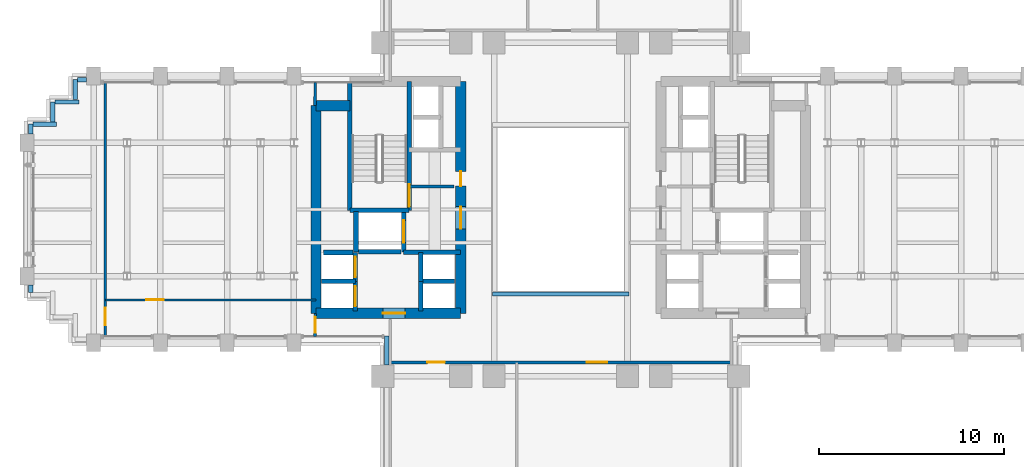
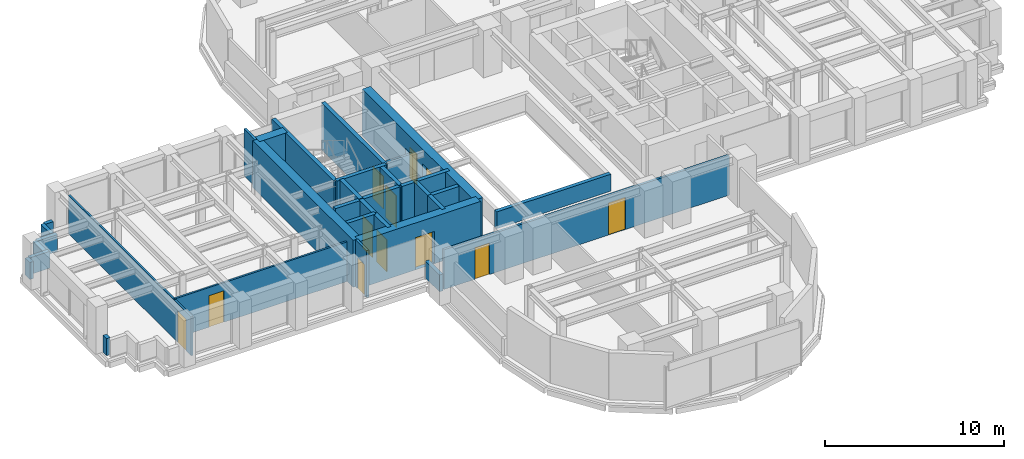
# One storey, part 10 of 16: 33 walls, 12 doors, 12 openings.
"""IFC4 building model written with IfcOpenShell, lengths in metres."""

from ifc_helpers import new_model, si_unit, direction, frame, frame_2d, origin, place, context, subcontext, project, spatial, rectangle, extrude, source, transform, mapped, material, layer, layer_set, type_object, element, fill, save


model = new_model("IFC4")

# Units and contexts
model_context = context("Model", 3, precision=1e-05, world=origin(), true_north=direction((0.0, 1.0)))
body_context = subcontext(model_context, "Body", "Model", "MODEL_VIEW")
ifc_project = project(units=[si_unit("LENGTHUNIT", "METRE"), si_unit("AREAUNIT", "SQUARE_METRE"), si_unit("VOLUMEUNIT", "CUBIC_METRE"), si_unit("PLANEANGLEUNIT", "RADIAN"), si_unit("MASSUNIT", "GRAM", prefix="KILO")], contexts=[model_context])

# Site, building, storey
site_placement = place(None, origin())
site = spatial("IfcSite", under=ifc_project, at=site_placement, CompositionType="ELEMENT")
building_placement = place(site_placement, origin())
building = spatial("IfcBuilding", under=site, at=building_placement, Name="Keilestroom Media Tower", CompositionType="ELEMENT")
storey_placement = place(building_placement, frame((0.0, 0.0, 37.39990234375)))
storey = spatial("IfcBuildingStorey", under=building, at=storey_placement, Name="L08", CompositionType="ELEMENT", Elevation=37.39990234375)

# Wall, opening, door
ifc_material_1 = material(Name="Gypsum Plasterboard & Steel Stud", Category="steel")
ifc_layer_1 = layer(ifc_material_1, 0.1201171875)
ifc_layer_set_1 = layer_set([ifc_layer_1], Name="Gypsum Plasterboard & Steel Stud")
wall_type_1 = type_object("IfcWallType", Name="Interior-Partition-Wall-120", PredefinedType="PARTITIONING", material=ifc_layer_set_1)
wall_1_placement = place(storey_placement, frame((-24.570068359375, -4.8798828125, 0.0), z_axis=(0.0, 0.0, 1.0), x_axis=(1.0, 0.0, 0.0)))
wall_1 = element("IfcWall", 1, at=wall_1_placement, inside=storey, type_object=wall_type_1, Name="L08 Interior Wall WP-L08-WA-CN", PredefinedType="PARTITIONING", context=body_context, shape_type="SweptSolid", body=[
    extrude(rectangle(XDim=11.3701171875, YDim=0.1201171875, at=frame_2d((5.68505859375, 0.0))), origin(), (0.0, 0.0, 1.0), 2.7001953125),
])
opening_1_placement = place(wall_1_placement, frame((2.199951171875, 0.0, 0.0)))
opening_1 = element("IfcOpeningElement", 2, at=opening_1_placement, cuts=wall_1, Name="Opening DI-03", PredefinedType="OPENING", context=body_context, shape_type="SweptSolid", body=[
    extrude(rectangle(XDim=0.949951171875, YDim=2.14990234375, at=frame_2d((0.47509765625, 1.074951171875))), frame((0.0, 0.070068359375, 0.0), z_axis=(0.0, -1.0, 0.0), x_axis=(1.0, 0.0, 0.0)), (0.0, 0.0, 1.0), 0.14013671875),
])
ifc_material_2 = material(Name="Lacquered European Oak Leaf", Category="wood")
door_type_1 = type_object("IfcDoorType", Name="Interior-Room-And-Suite-Door-DI-03", OperationType="NOTDEFINED", PredefinedType="DOOR", material=ifc_material_2)
shared_shape_1 = source(origin(), body_context, "Body", "SweptSolid", [
    extrude(rectangle(XDim=0.949951171875, YDim=2.14990234375, at=frame_2d((0.47509765625, 1.074951171875))), frame((0.0, 0.02490234375, 0.0), z_axis=(0.0, -1.0, 0.0), x_axis=(1.0, 0.0, 0.0)), (0.0, 0.0, 1.0), 0.050048828125),
])
door_1_placement = place(opening_1_placement, origin())
door_1 = element("IfcDoor", 3, at=door_1_placement, inside=storey, type_object=door_type_1, Name="L08 Interior Door DI-L08-DWA-RN", OperationType="SINGLE_SWING_LEFT", OverallHeight=2.14990234375, OverallWidth=0.949951171875, PredefinedType="DOOR", context=body_context, shape_type="MappedRepresentation", body=[
    mapped(shared_shape_1, transform((0.0, 0.0, 0.0), x_axis=(1.0, 0.0, 0.0), y_axis=(0.0, 1.0, 0.0), z_axis=(0.0, 0.0, 1.0), scale=1.0)),
])
fill(opening_1, door_1)

wall_2_placement = place(storey_placement, frame((-24.570068359375, -6.85009765625, 0.0), z_axis=(0.0, 0.0, 1.0), x_axis=(0.0, 1.0, 0.0)))
wall_2 = element("IfcWall", 4, at=wall_2_placement, inside=storey, type_object=wall_type_1, Name="L08 Interior Wall WP-L08-WA-CE", PredefinedType="PARTITIONING", context=body_context, shape_type="SweptSolid", body=[
    extrude(rectangle(XDim=13.7001953125, YDim=0.1201171875, at=frame_2d((6.85009765625, 0.0))), origin(), (0.0, 0.0, 1.0), 2.650146484375),
])
opening_2_placement = place(wall_2_placement, frame((0.60009765625, 0.0, 0.0)))
opening_2 = element("IfcOpeningElement", 5, at=opening_2_placement, cuts=wall_2, Name="Opening DI-03", PredefinedType="OPENING", context=body_context, shape_type="SweptSolid", body=[
    extrude(rectangle(XDim=0.949951171875, YDim=2.14990234375, at=frame_2d((0.47509765625, 1.074951171875))), frame((0.0, 0.070068359375, 0.0), z_axis=(0.0, -1.0, 0.0), x_axis=(1.0, 0.0, 0.0)), (0.0, 0.0, 1.0), 0.14013671875),
])
door_2_placement = place(opening_2_placement, origin())
door_2 = element("IfcDoor", 6, at=door_2_placement, inside=storey, type_object=door_type_1, Name="L08 Interior Door DI-L08-DWA-END", OperationType="SINGLE_SWING_RIGHT", OverallHeight=2.14990234375, OverallWidth=0.949951171875, PredefinedType="DOOR", context=body_context, shape_type="MappedRepresentation", body=[
    mapped(shared_shape_1, transform((0.0, 0.0, 0.0), x_axis=(1.0, 0.0, 0.0), y_axis=(0.0, 1.0, 0.0), z_axis=(0.0, 0.0, 1.0), scale=1.0)),
])
fill(opening_2, door_2)

# Wall
ifc_layer_2 = layer(ifc_material_1, 0.14990234375)
ifc_layer_set_2 = layer_set([ifc_layer_2], Name="Gypsum Plasterboard & Steel Stud")
wall_type_2 = type_object("IfcWallType", Name="Interior-Partition-Wall-150", PredefinedType="PARTITIONING", material=ifc_layer_set_2)
wall_3_placement = place(storey_placement, frame((-8.139892578125, 1.239990234375, 0.0), z_axis=(0.0, 0.0, 1.0), x_axis=(1.0, 0.0, 0.0)))
element("IfcWall", 7, at=wall_3_placement, inside=storey, type_object=wall_type_2, Name="L08 Interior Wall WP-L08-FFW-TOP", PredefinedType="PARTITIONING", context=body_context, shape_type="SweptSolid", body=[
    extrude(rectangle(XDim=2.389892578125, YDim=0.14990234375, at=frame_2d((1.19482421875, 0.0))), origin(), (0.0, 0.0, 1.0), 2.300048828125),
])

# Wall, openings, doors
wall_4_placement = place(storey_placement, frame((-9.199951171875, -8.25, 0.0), z_axis=(0.0, 0.0, 1.0), x_axis=(1.0, 0.0, 0.0)))
wall_4 = element("IfcWall", 8, at=wall_4_placement, inside=storey, type_object=wall_type_2, Name="L08 Interior Wall WP-L08-SL-BASE", PredefinedType="PARTITIONING", context=body_context, shape_type="SweptSolid", body=[
    extrude(rectangle(XDim=18.39990234375, YDim=0.14990234375, at=frame_2d((9.199951171875, 0.0))), origin(), (0.0, 0.0, 1.0), 2.7001953125),
])
opening_3_placement = place(wall_4_placement, frame((2.0, 0.0, 0.0)))
opening_3 = element("IfcOpeningElement", 9, at=opening_3_placement, cuts=wall_4, Name="Opening DI-03", PredefinedType="OPENING", context=body_context, shape_type="SweptSolid", body=[
    extrude(rectangle(XDim=0.949951171875, YDim=2.14990234375, at=frame_2d((0.47509765625, 1.074951171875))), frame((0.0, 0.0849609375, 0.0), z_axis=(0.0, -1.0, 0.0), x_axis=(1.0, 0.0, 0.0)), (0.0, 0.0, 1.0), 0.169921875),
])
opening_4_placement = place(wall_4_placement, frame((10.60009765625, 0.0, 0.0)))
opening_4 = element("IfcOpeningElement", 10, at=opening_4_placement, cuts=wall_4, Name="Opening DI-04", PredefinedType="OPENING", context=body_context, shape_type="SweptSolid", body=[
    extrude(rectangle(XDim=1.10009765625, YDim=2.199951171875, at=frame_2d((0.550048828125, 1.10009765625))), frame((0.0, 0.0849609375, 0.0), z_axis=(0.0, -1.0, 0.0), x_axis=(1.0, 0.0, 0.0)), (0.0, 0.0, 1.0), 0.169921875),
])
door_3_placement = place(opening_3_placement, origin())
door_3 = element("IfcDoor", 11, at=door_3_placement, inside=storey, type_object=door_type_1, Name="L08 Interior Door DI-L08-DSL-W", OperationType="SINGLE_SWING_LEFT", OverallHeight=2.14990234375, OverallWidth=0.949951171875, PredefinedType="DOOR", context=body_context, shape_type="MappedRepresentation", body=[
    mapped(shared_shape_1, transform((0.0, 0.0, 0.0), x_axis=(1.0, 0.0, 0.0), y_axis=(0.0, 1.0, 0.0), z_axis=(0.0, 0.0, 1.0), scale=1.0)),
])
fill(opening_3, door_3)
ifc_material_3 = material(Name="Acoustic Glazed Aluminium Leaf", Category="aluminium")
door_type_2 = type_object("IfcDoorType", Name="Interior-Room-And-Suite-Door-DI-04", OperationType="NOTDEFINED", PredefinedType="DOOR", material=ifc_material_3)
shared_shape_2 = source(origin(), body_context, "Body", "SweptSolid", [
    extrude(rectangle(XDim=1.10009765625, YDim=2.199951171875, at=frame_2d((0.550048828125, 1.10009765625))), frame((0.0, 0.02490234375, 0.0), z_axis=(0.0, -1.0, 0.0), x_axis=(1.0, 0.0, 0.0)), (0.0, 0.0, 1.0), 0.050048828125),
])
door_4_placement = place(opening_4_placement, origin())
door_4 = element("IfcDoor", 12, at=door_4_placement, inside=storey, type_object=door_type_2, Name="L08 Interior Door DI-L08-DSL-E", OperationType="SINGLE_SWING_RIGHT", OverallHeight=2.199951171875, OverallWidth=1.10009765625, PredefinedType="DOOR", context=body_context, shape_type="MappedRepresentation", body=[
    mapped(shared_shape_2, transform((0.0, 0.0, 0.0), x_axis=(1.0, 0.0, 0.0), y_axis=(0.0, 1.0, 0.0), z_axis=(0.0, 0.0, 1.0), scale=1.0)),
])
fill(opening_4, door_4)

# Wall
wall_5_placement = place(storey_placement, frame((-13.260009765625, 5.60009765625, 0.0), z_axis=(0.0, 0.0, 1.0), x_axis=(0.016013571389, 0.999871774545, 0.0)))
element("IfcWall", 13, at=wall_5_placement, inside=storey, type_object=wall_type_2, Name="L08 Interior Wall WP-L08-WA-ENTN", PredefinedType="PARTITIONING", context=body_context, shape_type="SweptSolid", body=[
    extrude(rectangle(XDim=1.250244140625, YDim=0.14990234375, at=frame_2d((0.625, 0.0))), origin(), (0.0, 0.0, 1.0), 3.2001953125),
])

# Wall, opening, door
wall_6_placement = place(storey_placement, frame((-13.260009765625, -6.85009765625, 0.0), z_axis=(0.0, 0.0, 1.0), x_axis=(0.016013571389, 0.999871774545, 0.0)))
wall_6 = element("IfcWall", 14, at=wall_6_placement, inside=storey, type_object=wall_type_2, Name="L08 Interior Wall WP-L08-WA-ENTS", PredefinedType="PARTITIONING", context=body_context, shape_type="SweptSolid", body=[
    extrude(rectangle(XDim=1.250244140625, YDim=0.14990234375, at=frame_2d((0.625, 0.0))), origin(), (0.0, 0.0, 1.0), 3.2001953125),
])
opening_5_placement = place(wall_6_placement, frame((0.199951171875, 0.0, 0.0)))
opening_5 = element("IfcOpeningElement", 15, at=opening_5_placement, cuts=wall_6, Name="Opening DI-05", PredefinedType="OPENING", context=body_context, shape_type="SweptSolid", body=[
    extrude(rectangle(XDim=0.85009765625, YDim=2.10009765625, at=frame_2d((0.425048828125, 1.050048828125))), frame((0.0, 0.0849609375, 0.0), z_axis=(0.0, -1.0, 0.0), x_axis=(1.0, 0.0, 0.0)), (0.0, 0.0, 1.0), 0.169921875),
])
ifc_material_4 = material(Name="Moisture-Resistant Oak Leaf", Category="wood")
door_type_3 = type_object("IfcDoorType", Name="Interior-En-Suite-And-Cupboard-Door-DI-05", OperationType="NOTDEFINED", PredefinedType="DOOR", material=ifc_material_4)
shared_shape_3 = source(origin(), body_context, "Body", "SweptSolid", [
    extrude(rectangle(XDim=0.85009765625, YDim=2.10009765625, at=frame_2d((0.425048828125, 1.050048828125))), frame((0.0, 0.02490234375, 0.0), z_axis=(0.0, -1.0, 0.0), x_axis=(1.0, 0.0, 0.0)), (0.0, 0.0, 1.0), 0.050048828125),
])
door_5_placement = place(opening_5_placement, origin())
door_5 = element("IfcDoor", 16, at=door_5_placement, inside=storey, type_object=door_type_3, Name="L08 Interior Door DI-L08-DWA-ENTS", OperationType="SINGLE_SWING_LEFT", OverallHeight=2.10009765625, OverallWidth=0.85009765625, PredefinedType="DOOR", context=body_context, shape_type="MappedRepresentation", body=[
    mapped(shared_shape_3, transform((0.0, 0.0, 0.0), x_axis=(1.0, 0.0, 0.0), y_axis=(0.0, 1.0, 0.0), z_axis=(0.0, 0.0, 1.0), scale=1.0)),
])
fill(opening_5, door_5)

# Wall
ifc_material_5 = material(Name="Concrete C70/85", Category="concrete")
ifc_layer_3 = layer(ifc_material_5, 0.550048828125)
ifc_layer_set_3 = layer_set([ifc_layer_3], Name="Concrete C70/85")
wall_type_3 = type_object("IfcWallType", Name="Reinforced-Concrete-Core-Shear-Wall-550", PredefinedType="SHEAR", material=ifc_layer_set_3)
wall_7_placement = place(storey_placement, frame((-13.199951171875, -5.60009765625, 0.0), z_axis=(0.0, 0.0, 1.0), x_axis=(0.0, 1.0, 0.0)))
element("IfcWall", 17, at=wall_7_placement, inside=storey, type_object=wall_type_3, Name="L08 Core Shear Wall WL-L08-CORE-W-OUT", PredefinedType="SHEAR", context=body_context, shape_type="SweptSolid", body=[
    extrude(rectangle(XDim=11.2001953125, YDim=0.550048828125, at=frame_2d((5.60009765625, 0.0))), origin(), (0.0, 0.0, 1.0), 3.2001953125),
])

# Wall, openings, doors
wall_8_placement = place(storey_placement, frame((-5.39990234375, -5.60009765625, 0.0), z_axis=(0.0, 0.0, 1.0), x_axis=(0.0, 1.0, 0.0)))
wall_8 = element("IfcWall", 18, at=wall_8_placement, inside=storey, type_object=wall_type_3, Name="L08 Core Shear Wall WL-L08-CORE-W-IN", PredefinedType="SHEAR", context=body_context, shape_type="SweptSolid", body=[
    extrude(rectangle(XDim=12.5, YDim=0.550048828125, at=frame_2d((6.25, 0.0))), origin(), (0.0, 0.0, 1.0), 3.2001953125),
])
opening_6_placement = place(wall_8_placement, frame((4.550048828125, 0.0, 0.0)))
opening_6 = element("IfcOpeningElement", 19, at=opening_6_placement, cuts=wall_8, Name="Opening DI-02", PredefinedType="OPENING", context=body_context, shape_type="SweptSolid", body=[
    extrude(rectangle(XDim=1.199951171875, YDim=2.199951171875, at=frame_2d((0.60009765625, 1.10009765625))), frame((0.0, 0.28515625, 0.0), z_axis=(0.0, -1.0, 0.0), x_axis=(1.0, 0.0, 0.0)), (0.0, 0.0, 1.0), 0.570068359375),
])
opening_7_placement = place(wall_8_placement, frame((6.860107421875, 0.0, 0.0)))
opening_7 = element("IfcOpeningElement", 20, at=opening_7_placement, cuts=wall_8, Name="Opening DI-06", PredefinedType="OPENING", context=body_context, shape_type="SweptSolid", body=[
    extrude(rectangle(XDim=0.800048828125, YDim=2.10009765625, at=frame_2d((0.39990234375, 1.050048828125))), frame((0.0, 0.28515625, 0.0), z_axis=(0.0, -1.0, 0.0), x_axis=(1.0, 0.0, 0.0)), (0.0, 0.0, 1.0), 0.570068359375),
])
ifc_material_6 = material(Name="Powder-Coated Steel Fire Leaf", Category="steel")
door_type_4 = type_object("IfcDoorType", Name="Interior-Compartment-Fire-Door-DI-02", OperationType="NOTDEFINED", PredefinedType="DOOR", material=ifc_material_6)
shared_shape_4 = source(origin(), body_context, "Body", "SweptSolid", [
    extrude(rectangle(XDim=1.199951171875, YDim=2.199951171875, at=frame_2d((0.60009765625, 1.10009765625))), frame((0.0, 0.02490234375, 0.0), z_axis=(0.0, -1.0, 0.0), x_axis=(1.0, 0.0, 0.0)), (0.0, 0.0, 1.0), 0.050048828125),
])
door_6_placement = place(opening_6_placement, origin())
door_6 = element("IfcDoor", 21, at=door_6_placement, inside=storey, type_object=door_type_4, Name="L08 W Firefighting Lobby Door", OperationType="SINGLE_SWING_RIGHT", OverallHeight=2.199951171875, OverallWidth=1.199951171875, PredefinedType="DOOR", context=body_context, shape_type="MappedRepresentation", body=[
    mapped(shared_shape_4, transform((0.0, 0.0, 0.0), x_axis=(1.0, 0.0, 0.0), y_axis=(0.0, 1.0, 0.0), z_axis=(0.0, 0.0, 1.0), scale=1.0)),
])
fill(opening_6, door_6)
ifc_material_7 = material(Name="Powder-Coated Steel Service Leaf", Category="steel")
door_type_5 = type_object("IfcDoorType", Name="Interior-Riser-Access-Door-DI-06", OperationType="NOTDEFINED", PredefinedType="DOOR", material=ifc_material_7)
shared_shape_5 = source(origin(), body_context, "Body", "SweptSolid", [
    extrude(rectangle(XDim=0.800048828125, YDim=2.10009765625, at=frame_2d((0.39990234375, 1.050048828125))), frame((0.0, 0.02490234375, 0.0), z_axis=(0.0, -1.0, 0.0), x_axis=(1.0, 0.0, 0.0)), (0.0, 0.0, 1.0), 0.050048828125),
])
door_7_placement = place(opening_7_placement, origin())
door_7 = element("IfcDoor", 22, at=door_7_placement, inside=storey, type_object=door_type_5, Name="L08 West Core Switchroom Door", OperationType="SINGLE_SWING_LEFT", OverallHeight=2.10009765625, OverallWidth=0.800048828125, PredefinedType="DOOR", context=body_context, shape_type="MappedRepresentation", body=[
    mapped(shared_shape_5, transform((0.0, 0.0, 0.0), x_axis=(1.0, 0.0, 0.0), y_axis=(0.0, 1.0, 0.0), z_axis=(0.0, 0.0, 1.0), scale=1.0)),
])
fill(opening_7, door_7)

# Wall
wall_9_placement = place(storey_placement, frame((-13.199951171875, 5.60009765625, 0.0), z_axis=(0.0, 0.0, 1.0), x_axis=(1.0, 0.0, 0.0)))
element("IfcWall", 23, at=wall_9_placement, inside=storey, type_object=wall_type_3, Name="L08 Core Shear Wall WL-L08-CNW-N", PredefinedType="SHEAR", context=body_context, shape_type="SweptSolid", body=[
    extrude(rectangle(XDim=1.81884765625, YDim=0.550048828125, at=frame_2d((0.909423828125, 0.0))), origin(), (0.0, 0.0, 1.0), 3.2001953125),
])

# Wall, opening, door
wall_10_placement = place(storey_placement, frame((-13.199951171875, -5.60009765625, 0.0), z_axis=(0.0, 0.0, 1.0), x_axis=(1.0, 0.0, 0.0)))
wall_10 = element("IfcWall", 24, at=wall_10_placement, inside=storey, type_object=wall_type_3, Name="L08 Core Shear Wall WL-L08-CORE-W-S", PredefinedType="SHEAR", context=body_context, shape_type="SweptSolid", body=[
    extrude(rectangle(XDim=7.800048828125, YDim=0.550048828125, at=frame_2d((3.89990234375, 0.0))), origin(), (0.0, 0.0, 1.0), 3.2001953125),
])
opening_8_placement = place(wall_10_placement, frame((3.60009765625, 0.0, 0.0)))
opening_8 = element("IfcOpeningElement", 25, at=opening_8_placement, cuts=wall_10, Name="Opening DI-02", PredefinedType="OPENING", context=body_context, shape_type="SweptSolid", body=[
    extrude(rectangle(XDim=1.199951171875, YDim=2.199951171875, at=frame_2d((0.60009765625, 1.10009765625))), frame((0.0, 0.28515625, 0.0), z_axis=(0.0, -1.0, 0.0), x_axis=(1.0, 0.0, 0.0)), (0.0, 0.0, 1.0), 0.570068359375),
])
door_8_placement = place(opening_8_placement, origin())
door_8 = element("IfcDoor", 26, at=door_8_placement, inside=storey, type_object=door_type_4, Name="L08 W Passenger Lift Lobby Door", OperationType="SINGLE_SWING_LEFT", OverallHeight=2.199951171875, OverallWidth=1.199951171875, PredefinedType="DOOR", context=body_context, shape_type="MappedRepresentation", body=[
    mapped(shared_shape_4, transform((0.0, 0.0, 0.0), x_axis=(1.0, 0.0, 0.0), y_axis=(0.0, 1.0, 0.0), z_axis=(0.0, 0.0, 1.0), scale=1.0)),
])
fill(opening_8, door_8)

# Wall
ifc_material_8 = material(Name="Concrete C50/60", Category="concrete")
ifc_layer_4 = layer(ifc_material_8, 0.25)
ifc_layer_set_4 = layer_set([ifc_layer_4], Name="Concrete C50/60")
wall_type_4 = type_object("IfcWallType", Name="Reinforced-Concrete-Shaft-Wall-250", PredefinedType="SOLIDWALL", material=ifc_layer_set_4)
wall_11_placement = place(storey_placement, frame((-8.47998046875, -2.300048828125, 0.0), z_axis=(0.0, 0.0, 1.0), x_axis=(1.0, 0.0, 0.0)))
element("IfcWall", 27, at=wall_11_placement, inside=storey, type_object=wall_type_4, Name="L08 Core Shear Wall WL-L08-CORE-W-FFS", PredefinedType="SOLIDWALL", context=body_context, shape_type="SweptSolid", body=[
    extrude(rectangle(XDim=3.080078125, YDim=0.25, at=frame_2d((1.5400390625, 0.0))), origin(), (0.0, 0.0, 1.0), 3.2001953125),
])

# Wall, opening, door
wall_12_placement = place(storey_placement, frame((-8.178955078125, -0.041015625, 0.0), z_axis=(0.0, 0.0, 1.0), x_axis=(0.0, 1.0, 0.0)))
wall_12 = element("IfcWall", 28, at=wall_12_placement, inside=storey, type_object=wall_type_4, Name="L08 Core Shear Wall WL-L08-STW-W-NEAR", PredefinedType="SOLIDWALL", context=body_context, shape_type="SweptSolid", body=[
    extrude(rectangle(XDim=6.94091796875, YDim=0.25, at=frame_2d((3.470458984375, 0.0))), origin(), (0.0, 0.0, 1.0), 3.2001953125),
])
opening_9_placement = place(wall_12_placement, frame((0.199951171875, 0.0, 0.0)))
opening_9 = element("IfcOpeningElement", 29, at=opening_9_placement, cuts=wall_12, Name="Opening DI-01S", PredefinedType="OPENING", context=body_context, shape_type="SweptSolid", body=[
    extrude(rectangle(XDim=1.199951171875, YDim=2.199951171875, at=frame_2d((0.60009765625, 1.10009765625))), frame((0.0, 0.135009765625, 0.0), z_axis=(0.0, -1.0, 0.0), x_axis=(1.0, 0.0, 0.0)), (0.0, 0.0, 1.0), 0.27001953125),
])
door_type_6 = type_object("IfcDoorType", Name="Interior-Stair-And-Core-Fire-Door-DI-01", OperationType="NOTDEFINED", PredefinedType="DOOR", material=ifc_material_6)
door_9_placement = place(opening_9_placement, origin())
door_9 = element("IfcDoor", 30, at=door_9_placement, inside=storey, type_object=door_type_6, Name="L08 Escape Stair ST-1 Fire Door", OperationType="SINGLE_SWING_LEFT", OverallHeight=2.199951171875, OverallWidth=1.199951171875, PredefinedType="DOOR", context=body_context, shape_type="MappedRepresentation", body=[
    mapped(shared_shape_4, transform((0.0, 0.0, 0.0), x_axis=(1.0, 0.0, 0.0), y_axis=(0.0, 1.0, 0.0), z_axis=(0.0, 0.0, 1.0), scale=1.0)),
])
fill(opening_9, door_9)

# Walls
wall_13_placement = place(storey_placement, frame((-11.381103515625, -0.041015625, 0.0), z_axis=(0.0, 0.0, 1.0), x_axis=(0.0, 1.0, 0.0)))
element("IfcWall", 31, at=wall_13_placement, inside=storey, type_object=wall_type_4, Name="L08 Core Shear Wall WL-L08-STW-W-FAR", PredefinedType="SOLIDWALL", context=body_context, shape_type="SweptSolid", body=[
    extrude(rectangle(XDim=6.94091796875, YDim=0.25, at=frame_2d((3.470458984375, 0.0))), origin(), (0.0, 0.0, 1.0), 3.2001953125),
])
wall_14_placement = place(storey_placement, frame((-11.381103515625, -0.041015625, 0.0), z_axis=(0.0, 0.0, 1.0), x_axis=(1.0, 0.0, 0.0)))
element("IfcWall", 32, at=wall_14_placement, inside=storey, type_object=wall_type_4, Name="L08 Core Shear Wall WL-L08-STW-W-S", PredefinedType="SOLIDWALL", context=body_context, shape_type="SweptSolid", body=[
    extrude(rectangle(XDim=3.2021484375, YDim=0.25, at=frame_2d((1.60107421875, 0.0))), origin(), (0.0, 0.0, 1.0), 3.2001953125),
])
wall_15_placement = place(storey_placement, frame((-11.050048828125, -2.280029296875, 0.0), z_axis=(0.0, 0.0, 1.0), x_axis=(0.0, 1.0, 0.0)))
element("IfcWall", 33, at=wall_15_placement, inside=storey, type_object=wall_type_4, Name="L08 Core Shear Wall WL-L08-LSH-FFL-1-W", PredefinedType="SOLIDWALL", context=body_context, shape_type="SweptSolid", body=[
    extrude(rectangle(XDim=2.179931640625, YDim=0.25, at=frame_2d((1.08984375, 0.0))), origin(), (0.0, 0.0, 1.0), 3.2001953125),
])

# Wall, opening, door
wall_16_placement = place(storey_placement, frame((-8.47998046875, -2.280029296875, 0.0), z_axis=(0.0, 0.0, 1.0), x_axis=(0.0, 1.0, 0.0)))
wall_16 = element("IfcWall", 34, at=wall_16_placement, inside=storey, type_object=wall_type_4, Name="L08 Core Shear Wall WL-L08-LSH-FFL-1-E", PredefinedType="SOLIDWALL", context=body_context, shape_type="SweptSolid", body=[
    extrude(rectangle(XDim=2.179931640625, YDim=0.25, at=frame_2d((1.08984375, 0.0))), origin(), (0.0, 0.0, 1.0), 3.2001953125),
])
opening_10_placement = place(wall_16_placement, frame((0.489990234375, 0.0, 0.0)))
opening_10 = element("IfcOpeningElement", 35, at=opening_10_placement, cuts=wall_16, Name="Opening LD-02", PredefinedType="OPENING", context=body_context, shape_type="SweptSolid", body=[
    extrude(rectangle(XDim=1.199951171875, YDim=2.199951171875, at=frame_2d((0.60009765625, 1.10009765625))), frame((0.0, 0.135009765625, 0.0), z_axis=(0.0, -1.0, 0.0), x_axis=(1.0, 0.0, 0.0)), (0.0, 0.0, 1.0), 0.27001953125),
])
ifc_material_9 = material(Name="Brushed Stainless Steel Sliding Leaf", Category="steel")
door_type_7 = type_object("IfcDoorType", Name="Lift-Landing-Sliding-Door-LD-02", OperationType="SLIDING_TO_RIGHT", PredefinedType="DOOR", material=ifc_material_9)
door_10_placement = place(opening_10_placement, origin())
door_10 = element("IfcDoor", 36, at=door_10_placement, inside=storey, type_object=door_type_7, Name="L08 Lift FFL-1 Landing Sliding Door", OperationType="SLIDING_TO_RIGHT", OverallHeight=2.199951171875, OverallWidth=1.199951171875, PredefinedType="DOOR", context=body_context, shape_type="MappedRepresentation", body=[
    mapped(shared_shape_4, transform((0.0, 0.0, 0.0), x_axis=(1.0, 0.0, 0.0), y_axis=(0.0, 1.0, 0.0), z_axis=(0.0, 0.0, 1.0), scale=1.0)),
])
fill(opening_10, door_10)

# Wall
wall_17_placement = place(storey_placement, frame((-10.9208984375, -2.280029296875, 0.0), z_axis=(0.0, 0.0, 1.0), x_axis=(1.0, 0.0, 0.0)))
element("IfcWall", 37, at=wall_17_placement, inside=storey, type_object=wall_type_4, Name="L08 Core Shear Wall WL-L08-LSH-FFL-1-S", PredefinedType="SOLIDWALL", context=body_context, shape_type="SweptSolid", body=[
    extrude(rectangle(XDim=2.31201171875, YDim=0.25, at=frame_2d((1.156005859375, 0.0))), origin(), (0.0, 0.0, 1.0), 3.2001953125),
])

# Wall, opening, door
wall_18_placement = place(storey_placement, frame((-11.080078125, -5.47998046875, 0.0), z_axis=(0.0, 0.0, 1.0), x_axis=(0.0, 1.0, 0.0)))
wall_18 = element("IfcWall", 38, at=wall_18_placement, inside=storey, type_object=wall_type_4, Name="L08 Core Shear Wall WL-L08-LSH-PL-L1-E", PredefinedType="SOLIDWALL", context=body_context, shape_type="SweptSolid", body=[
    extrude(rectangle(XDim=1.60009765625, YDim=0.25, at=frame_2d((0.800048828125, 0.0))), origin(), (0.0, 0.0, 1.0), 3.2001953125),
])
opening_11_placement = place(wall_18_placement, frame((0.25, 0.0, 0.0)))
opening_11 = element("IfcOpeningElement", 39, at=opening_11_placement, cuts=wall_18, Name="Opening LD-01", PredefinedType="OPENING", context=body_context, shape_type="SweptSolid", body=[
    extrude(rectangle(XDim=1.10009765625, YDim=2.199951171875, at=frame_2d((0.550048828125, 1.10009765625))), frame((0.0, 0.135009765625, 0.0), z_axis=(0.0, -1.0, 0.0), x_axis=(1.0, 0.0, 0.0)), (0.0, 0.0, 1.0), 0.27001953125),
])
door_type_8 = type_object("IfcDoorType", Name="Lift-Landing-Sliding-Door-LD-01", OperationType="SLIDING_TO_LEFT", PredefinedType="DOOR", material=ifc_material_9)
door_11_placement = place(opening_11_placement, origin())
door_11 = element("IfcDoor", 40, at=door_11_placement, inside=storey, type_object=door_type_8, Name="L08 Lift PL-L1 Landing Sliding Door", OperationType="SLIDING_TO_LEFT", OverallHeight=2.199951171875, OverallWidth=1.10009765625, PredefinedType="DOOR", context=body_context, shape_type="MappedRepresentation", body=[
    mapped(shared_shape_2, transform((0.0, 0.0, 0.0), x_axis=(1.0, 0.0, 0.0), y_axis=(0.0, 1.0, 0.0), z_axis=(0.0, 0.0, 1.0), scale=1.0)),
])
fill(opening_11, door_11)

# Wall
wall_19_placement = place(storey_placement, frame((-12.919921875, -3.8798828125, 0.0), z_axis=(0.0, 0.0, 1.0), x_axis=(1.0, 0.0, 0.0)))
element("IfcWall", 41, at=wall_19_placement, inside=storey, type_object=wall_type_4, Name="L08 Core Shear Wall WL-L08-LSH-PL-L1-N", PredefinedType="SOLIDWALL", context=body_context, shape_type="SweptSolid", body=[
    extrude(rectangle(XDim=1.83984375, YDim=0.25, at=frame_2d((0.919921875, 0.0))), origin(), (0.0, 0.0, 1.0), 3.2001953125),
])

# Wall, opening, door
wall_20_placement = place(storey_placement, frame((-11.080078125, -3.8798828125, 0.0), z_axis=(0.0, 0.0, 1.0), x_axis=(0.0, 1.0, 0.0)))
wall_20 = element("IfcWall", 42, at=wall_20_placement, inside=storey, type_object=wall_type_4, Name="L08 Core Shear Wall WL-L08-LSH-PL-L2-E", PredefinedType="SOLIDWALL", context=body_context, shape_type="SweptSolid", body=[
    extrude(rectangle(XDim=1.559814453125, YDim=0.25, at=frame_2d((0.77978515625, 0.0))), origin(), (0.0, 0.0, 1.0), 3.2001953125),
])
opening_12_placement = place(wall_20_placement, frame((0.22998046875, 0.0, 0.0)))
opening_12 = element("IfcOpeningElement", 43, at=opening_12_placement, cuts=wall_20, Name="Opening LD-01", PredefinedType="OPENING", context=body_context, shape_type="SweptSolid", body=[
    extrude(rectangle(XDim=1.10009765625, YDim=2.199951171875, at=frame_2d((0.550048828125, 1.10009765625))), frame((0.0, 0.135009765625, 0.0), z_axis=(0.0, -1.0, 0.0), x_axis=(1.0, 0.0, 0.0)), (0.0, 0.0, 1.0), 0.27001953125),
])
door_12_placement = place(opening_12_placement, origin())
door_12 = element("IfcDoor", 44, at=door_12_placement, inside=storey, type_object=door_type_8, Name="L08 Lift PL-L2 Landing Sliding Door", OperationType="SLIDING_TO_LEFT", OverallHeight=2.199951171875, OverallWidth=1.10009765625, PredefinedType="DOOR", context=body_context, shape_type="MappedRepresentation", body=[
    mapped(shared_shape_2, transform((0.0, 0.0, 0.0), x_axis=(1.0, 0.0, 0.0), y_axis=(0.0, 1.0, 0.0), z_axis=(0.0, 0.0, 1.0), scale=1.0)),
])
fill(opening_12, door_12)

# Walls
wall_21_placement = place(storey_placement, frame((-12.791015625, -2.320068359375, 0.0), z_axis=(0.0, 0.0, 1.0), x_axis=(1.0, 0.0, 0.0)))
element("IfcWall", 45, at=wall_21_placement, inside=storey, type_object=wall_type_4, Name="L08 Core Shear Wall WL-L08-LSH-PL-L2-N", PredefinedType="SOLIDWALL", context=body_context, shape_type="SweptSolid", body=[
    extrude(rectangle(XDim=1.58203125, YDim=0.25, at=frame_2d((0.791015625, 0.0))), origin(), (0.0, 0.0, 1.0), 3.2001953125),
])
wall_22_placement = place(storey_placement, frame((-7.56005859375, -5.47998046875, 0.0), z_axis=(0.0, 0.0, 1.0), x_axis=(0.0, 1.0, 0.0)))
element("IfcWall", 46, at=wall_22_placement, inside=storey, type_object=wall_type_4, Name="L08 Core Shear Wall WL-L08-LSH-PL-M1-W", PredefinedType="SOLIDWALL", context=body_context, shape_type="SweptSolid", body=[
    extrude(rectangle(XDim=1.60009765625, YDim=0.25, at=frame_2d((0.800048828125, 0.0))), origin(), (0.0, 0.0, 1.0), 3.2001953125),
])
wall_23_placement = place(storey_placement, frame((-7.56005859375, -3.8798828125, 0.0), z_axis=(0.0, 0.0, 1.0), x_axis=(1.0, 0.0, 0.0)))
element("IfcWall", 47, at=wall_23_placement, inside=storey, type_object=wall_type_4, Name="L08 Core Shear Wall WL-L08-LSH-PL-M1-N", PredefinedType="SOLIDWALL", context=body_context, shape_type="SweptSolid", body=[
    extrude(rectangle(XDim=1.840087890625, YDim=0.25, at=frame_2d((0.919921875, 0.0))), origin(), (0.0, 0.0, 1.0), 3.2001953125),
])
wall_24_placement = place(storey_placement, frame((-7.56005859375, -3.8798828125, 0.0), z_axis=(0.0, 0.0, 1.0), x_axis=(0.0, 1.0, 0.0)))
element("IfcWall", 48, at=wall_24_placement, inside=storey, type_object=wall_type_4, Name="L08 Core Shear Wall WL-L08-LSH-PL-M2-W", PredefinedType="SOLIDWALL", context=body_context, shape_type="SweptSolid", body=[
    extrude(rectangle(XDim=1.559814453125, YDim=0.25, at=frame_2d((0.77978515625, 0.0))), origin(), (0.0, 0.0, 1.0), 3.2001953125),
])
ifc_material_10 = material(Name="Precast concrete C40/50", Category="concrete")
ifc_layer_5 = layer(ifc_material_10, 0.239990234375)
ifc_layer_set_5 = layer_set([ifc_layer_5], Name="Precast concrete C40/50")
wall_type_5 = type_object("IfcWallType", Name="Roof-And-Terrace-Parapet-Wall-240", PredefinedType="PARAPET", material=ifc_layer_set_5)
wall_25_placement = place(storey_placement, frame((-9.39990234375, -8.39697265625, 0.0), z_axis=(0.0, 0.0, 1.0), x_axis=(0.0, 1.0, 0.0)))
element("IfcWall", 49, at=wall_25_placement, inside=storey, type_object=wall_type_5, Name="L08 Perimeter Edge Parapet Wall 11", PredefinedType="PARAPET", context=body_context, shape_type="SweptSolid", body=[
    extrude(rectangle(XDim=1.578125, YDim=0.239990234375, at=frame_2d((0.7890625, 0.0))), origin(), (0.0, 0.0, 1.0), 1.150146484375),
])
wall_26_placement = place(storey_placement, frame((-28.60009765625, -4.47705078125, 0.0), z_axis=(0.0, 0.0, 1.0), x_axis=(0.0, 1.0, 0.0)))
element("IfcWall", 50, at=wall_26_placement, inside=storey, type_object=wall_type_5, Name="L08 Perimeter Edge Parapet Wall 17", PredefinedType="PARAPET", context=body_context, shape_type="SweptSolid", body=[
    extrude(rectangle(XDim=0.399169921875, YDim=0.239990234375, at=frame_2d((0.19970703125, 0.0))), origin(), (0.0, 0.0, 1.0), 1.150146484375),
])
wall_27_placement = place(storey_placement, frame((-28.60009765625, 4.077880859375, 0.0), z_axis=(0.0, 0.0, 1.0), x_axis=(0.0, 1.0, 0.0)))
element("IfcWall", 51, at=wall_27_placement, inside=storey, type_object=wall_type_5, Name="L08 Perimeter Edge Parapet Wall 18", PredefinedType="PARAPET", context=body_context, shape_type="SweptSolid", body=[
    extrude(rectangle(XDim=0.522216796875, YDim=0.239990234375, at=frame_2d((0.26123046875, 0.0))), origin(), (0.0, 0.0, 1.0), 1.150146484375),
])
wall_28_placement = place(storey_placement, frame((-28.47705078125, 4.60009765625, 0.0), z_axis=(0.0, 0.0, 1.0), x_axis=(1.0, 0.0, 0.0)))
element("IfcWall", 52, at=wall_28_placement, inside=storey, type_object=wall_type_5, Name="L08 Perimeter Edge Parapet Wall 19", PredefinedType="PARAPET", context=body_context, shape_type="SweptSolid", body=[
    extrude(rectangle(XDim=1.277099609375, YDim=0.239990234375, at=frame_2d((0.638671875, 0.0))), origin(), (0.0, 0.0, 1.0), 1.150146484375),
])
wall_29_placement = place(storey_placement, frame((-27.39990234375, 4.722900390625, 0.0), z_axis=(0.0, 0.0, 1.0), x_axis=(0.0, 1.0, 0.0)))
element("IfcWall", 53, at=wall_29_placement, inside=storey, type_object=wall_type_5, Name="L08 Perimeter Edge Parapet Wall 20", PredefinedType="PARAPET", context=body_context, shape_type="SweptSolid", body=[
    extrude(rectangle(XDim=1.0771484375, YDim=0.239990234375, at=frame_2d((0.53857421875, 0.0))), origin(), (0.0, 0.0, 1.0), 1.150146484375),
])
wall_30_placement = place(storey_placement, frame((-27.277099609375, 5.800048828125, 0.0), z_axis=(0.0, 0.0, 1.0), x_axis=(1.0, 0.0, 0.0)))
element("IfcWall", 54, at=wall_30_placement, inside=storey, type_object=wall_type_5, Name="L08 Perimeter Edge Parapet Wall 21", PredefinedType="PARAPET", context=body_context, shape_type="SweptSolid", body=[
    extrude(rectangle(XDim=1.277099609375, YDim=0.239990234375, at=frame_2d((0.638671875, 0.0))), origin(), (0.0, 0.0, 1.0), 1.150146484375),
])
wall_31_placement = place(storey_placement, frame((-26.199951171875, 5.923095703125, 0.0), z_axis=(0.0, 0.0, 1.0), x_axis=(0.0, 1.0, 0.0)))
element("IfcWall", 55, at=wall_31_placement, inside=storey, type_object=wall_type_5, Name="L08 Perimeter Edge Parapet Wall 22", PredefinedType="PARAPET", context=body_context, shape_type="SweptSolid", body=[
    extrude(rectangle(XDim=1.076904296875, YDim=0.239990234375, at=frame_2d((0.53857421875, 0.0))), origin(), (0.0, 0.0, 1.0), 1.150146484375),
])
wall_32_placement = place(storey_placement, frame((-26.076904296875, 7.0, 0.0), z_axis=(0.0, 0.0, 1.0), x_axis=(1.0, 0.0, 0.0)))
element("IfcWall", 56, at=wall_32_placement, inside=storey, type_object=wall_type_5, Name="L08 Perimeter Edge Parapet Wall 23", PredefinedType="PARAPET", context=body_context, shape_type="SweptSolid", body=[
    extrude(rectangle(XDim=0.4990234375, YDim=0.239990234375, at=frame_2d((0.24951171875, 0.0))), origin(), (0.0, 0.0, 1.0), 1.150146484375),
])
wall_33_placement = place(storey_placement, frame((-3.679931640625, -4.56005859375, 0.0), z_axis=(0.0, 0.0, 1.0), x_axis=(1.0, 0.0, 0.0)))
element("IfcWall", 57, at=wall_33_placement, inside=storey, type_object=wall_type_5, Name="L08 Central Atrium Guard Parapet S", PredefinedType="PARAPET", context=body_context, shape_type="SweptSolid", body=[
    extrude(rectangle(XDim=7.35986328125, YDim=0.239990234375, at=frame_2d((3.679931640625, 0.0))), origin(), (0.0, 0.0, 1.0), 1.150146484375),
])

save(model, "model.ifc")
